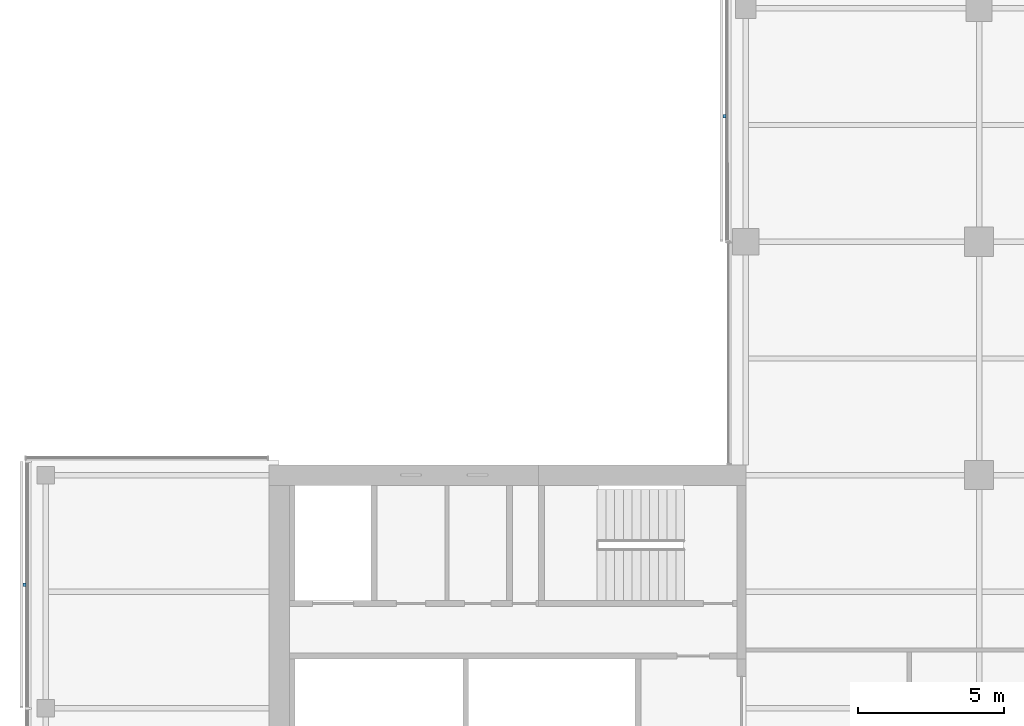
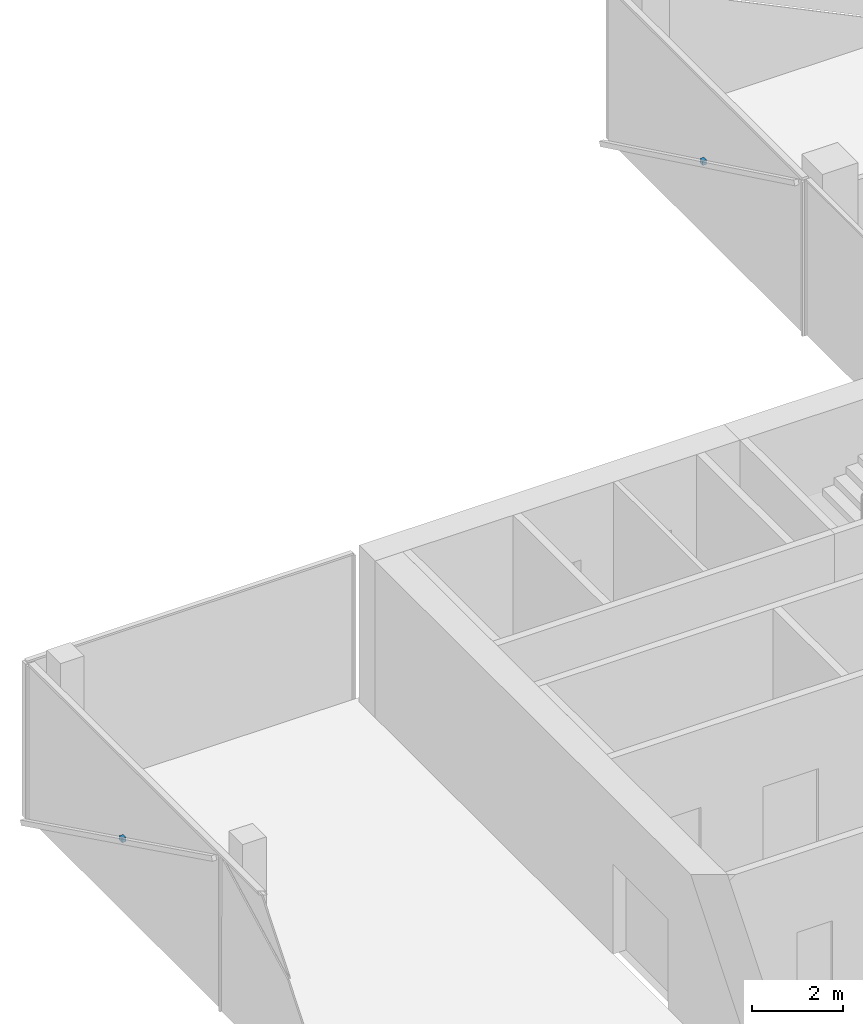
# One storey, part 19 of 22: 2 discrete accessories.
"""IFC4 building model written with IfcOpenShell, lengths in metres."""

from ifc_helpers import new_model, si_unit, direction, frame, origin, origin_2d, place, context, subcontext, project, spatial, rectangle, extrude, material, type_object, element, save


model = new_model("IFC4")

# Units and contexts
model_context = context("Model", 3, precision=1e-05, world=origin(), true_north=direction((0.0, 1.0)))
body_context = subcontext(model_context, "Body", "Model", "MODEL_VIEW")
ifc_project = project(units=[si_unit("LENGTHUNIT", "METRE"), si_unit("AREAUNIT", "SQUARE_METRE"), si_unit("VOLUMEUNIT", "CUBIC_METRE"), si_unit("PLANEANGLEUNIT", "RADIAN"), si_unit("MASSUNIT", "GRAM", prefix="KILO")], contexts=[model_context])

# Site, building, storey
site_placement = place(None, origin())
site = spatial("IfcSite", under=ifc_project, at=site_placement, CompositionType="ELEMENT")
building_placement = place(site_placement, origin())
building = spatial("IfcBuilding", under=site, at=building_placement, Name="Crosswind Convention Tower", CompositionType="ELEMENT")
storey_placement = place(building_placement, frame((0.0, 0.0, 146.300048828125)))
storey = spatial("IfcBuildingStorey", under=building, at=storey_placement, Name="L30", CompositionType="ELEMENT", Elevation=146.300048828125)

# Discrete accessories
ifc_material = material(Name="Stainless steel", Category="steel")
discrete_accessory_type = type_object("IfcDiscreteAccessoryType", Name="BAGUETTE BRACKET BK3", PredefinedType="BRACKET", material=ifc_material)
for number, where, z_axis, x_axis, name in (
    (1, (112.27392578125, 124.304931640625, 1.704833984375), (0.0, 0.0, 1.0), (0.0, -1.0, 0.0), "BK3 baguette bracket"),
    (2, (88.27392578125, 108.232421875, 1.704833984375), (0.0, 0.0, 1.0), (0.0, -1.0, 0.0), "BK3 baguette bracket"),
):
    element("IfcDiscreteAccessory", number, at=place(storey_placement, frame(where, z_axis=z_axis, x_axis=x_axis)), inside=storey, type_object=discrete_accessory_type, Name=name, PredefinedType="BRACKET", context=body_context, shape_type="SweptSolid", body=[
        extrude(rectangle(XDim=0.1201171875, YDim=0.10009765625, at=origin_2d()), origin(), (0.0, 0.0, 1.0), 0.1201171875),
    ])

save(model, "model.ifc")
